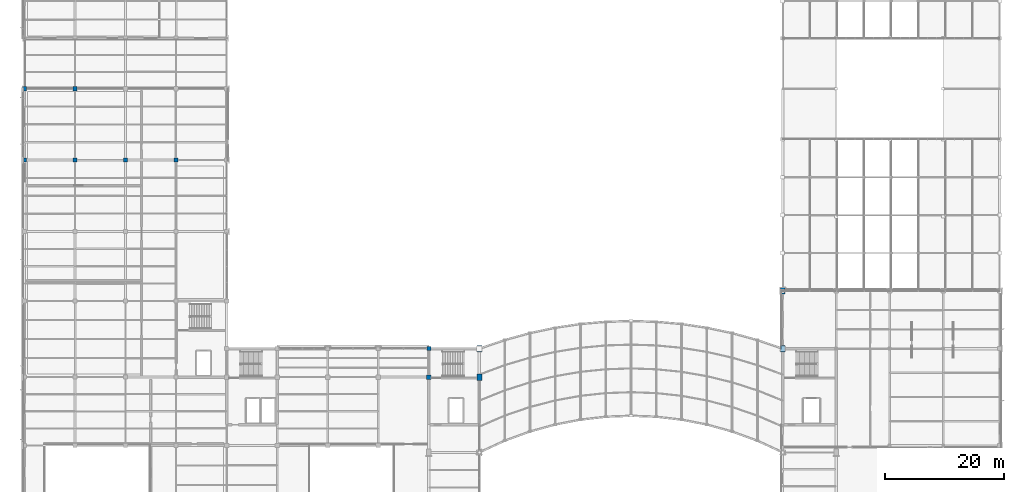
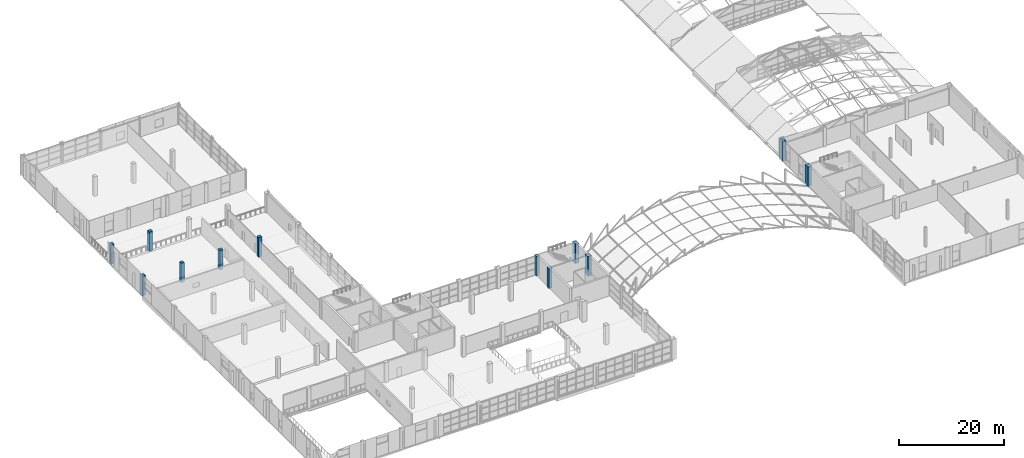
# One storey, part 3 of 101: 12 columns.
"""IFC4 building model written with IfcOpenShell, lengths in metres."""

from ifc_helpers import new_model, si_unit, direction, frame, origin, origin_2d, place, context, subcontext, project, spatial, rectangle, extrude, material, material_profile, profile_set, type_object, element, save


model = new_model("IFC4")

# Units and contexts
model_context = context("Model", 3, precision=1e-05, world=origin(), true_north=direction((0.0, 1.0)))
body_context = subcontext(model_context, "Body", "Model", "MODEL_VIEW")
ifc_project = project(units=[si_unit("LENGTHUNIT", "METRE"), si_unit("AREAUNIT", "SQUARE_METRE"), si_unit("VOLUMEUNIT", "CUBIC_METRE"), si_unit("PLANEANGLEUNIT", "RADIAN"), si_unit("MASSUNIT", "GRAM", prefix="KILO")], contexts=[model_context])

# Site, building, storey
site_placement = place(None, origin())
site = spatial("IfcSite", under=ifc_project, at=site_placement, CompositionType="ELEMENT")
building_placement = place(site_placement, origin())
building = spatial("IfcBuilding", under=site, at=building_placement, Name="Solvikara Media Centre", CompositionType="ELEMENT")
storey_placement = place(building_placement, frame((0.0, 0.0, 10.199951171875)))
storey = spatial("IfcBuildingStorey", under=building, at=storey_placement, Name="L02", CompositionType="ELEMENT", Elevation=10.199951171875)

# Columns
ifc_material = material(Name="Concrete fc' 45 MPa (C45/55)", Category="concrete")
ifc_material_profile_1 = material_profile(ifc_material, rectangle(XDim=0.699951171875, YDim=0.699951171875, at=origin_2d()), Name="RC 700x700")
ifc_profile_set_1 = profile_set([ifc_material_profile_1], Name="Concrete fc' 45 MPa (C45/55)")
column_type_1 = type_object("IfcColumnType", Name="CL-03", PredefinedType="COLUMN", material=ifc_profile_set_1)
column_1_placement = place(storey_placement, frame((8.5, 68.5, 0.0), z_axis=(0.0, 0.0, 1.0), x_axis=(1.0, 0.0, 0.0)))
element("IfcColumn", 1, at=column_1_placement, inside=storey, type_object=column_type_1, Name="C-L02-0085-0685", PredefinedType="COLUMN", context=body_context, shape_type="SweptSolid", body=[
    extrude(rectangle(XDim=0.699951171875, YDim=0.699951171875, at=origin_2d()), origin(), (0.0, 0.0, 1.0), 4.5400390625),
])
column_2_placement = place(storey_placement, frame((8.5, 80.5, 0.0), z_axis=(0.0, 0.0, 1.0), x_axis=(1.0, 0.0, 0.0)))
element("IfcColumn", 2, at=column_2_placement, inside=storey, type_object=column_type_1, Name="C-L02-0085-0805", PredefinedType="COLUMN", context=body_context, shape_type="SweptSolid", body=[
    extrude(rectangle(XDim=0.699951171875, YDim=0.699951171875, at=origin_2d()), origin(), (0.0, 0.0, 1.0), 4.530029296875),
])
for number, where, z_axis, x_axis, name in (
    (3, (17.0, 68.5, 0.0), (0.0, 0.0, 1.0), (1.0, 0.0, 0.0), "C-L02-0170-0685"),
    (4, (25.5, 68.5, 0.0), (0.0, 0.0, 1.0), (1.0, 0.0, 0.0), "C-L02-0255-0685"),
):
    element("IfcColumn", number, at=place(storey_placement, frame(where, z_axis=z_axis, x_axis=x_axis)), inside=storey, type_object=column_type_1, Name=name, PredefinedType="COLUMN", context=body_context, shape_type="SweptSolid", body=[
        extrude(rectangle(XDim=0.699951171875, YDim=0.699951171875, at=origin_2d()), origin(), (0.0, 0.0, 1.0), 4.5400390625),
    ])
ifc_material_profile_2 = material_profile(ifc_material, rectangle(XDim=0.75, YDim=0.75, at=origin_2d()), Name="RC 750x750")
ifc_profile_set_2 = profile_set([ifc_material_profile_2], Name="Concrete fc' 45 MPa (C45/55)")
column_type_2 = type_object("IfcColumnType", Name="CL-04", PredefinedType="COLUMN", material=ifc_profile_set_2)
column_3_placement = place(storey_placement, frame((68.0, 32.0, 0.0), z_axis=(0.0, 0.0, 1.0), x_axis=(1.0, 0.0, 0.0)))
element("IfcColumn", 5, at=column_3_placement, inside=storey, type_object=column_type_2, Name="C-L02-0680-0320", PredefinedType="COLUMN", context=body_context, shape_type="SweptSolid", body=[
    extrude(rectangle(XDim=0.75, YDim=0.75, at=origin_2d()), origin(), (0.0, 0.0, 1.0), 4.52001953125),
])
ifc_material_profile_3 = material_profile(ifc_material, rectangle(XDim=0.699951171875, YDim=0.699951171875, at=origin_2d()), Name="RC 700x700")
ifc_profile_set_3 = profile_set([ifc_material_profile_3], Name="Concrete fc' 45 MPa (C45/55)")
column_type_3 = type_object("IfcColumnType", Name="CL-15", PredefinedType="COLUMN", material=ifc_profile_set_3)
column_4_placement = place(storey_placement, frame((0.0, 68.5, 0.0), z_axis=(0.0, 0.0, 1.0), x_axis=(1.0, 0.0, 0.0)))
element("IfcColumn", 6, at=column_4_placement, inside=storey, type_object=column_type_3, Name="C-L02-0000-0685", PredefinedType="COLUMN", context=body_context, shape_type="SweptSolid", body=[
    extrude(rectangle(XDim=0.699951171875, YDim=0.699951171875, at=origin_2d()), origin(), (0.0, 0.0, 1.0), 4.5400390625),
])
column_5_placement = place(storey_placement, frame((0.0, 80.5, 0.0), z_axis=(0.0, 0.0, 1.0), x_axis=(1.0, 0.0, 0.0)))
element("IfcColumn", 7, at=column_5_placement, inside=storey, type_object=column_type_3, Name="C-L02-0000-0805", PredefinedType="COLUMN", context=body_context, shape_type="SweptSolid", body=[
    extrude(rectangle(XDim=0.699951171875, YDim=0.699951171875, at=origin_2d()), origin(), (0.0, 0.0, 1.0), 4.530029296875),
])
column_6_placement = place(storey_placement, frame((68.0, 36.800048828125, 0.0), z_axis=(0.0, 0.0, 1.0), x_axis=(1.0, 0.0, 0.0)))
element("IfcColumn", 8, at=column_6_placement, inside=storey, type_object=column_type_3, Name="C-L02-0680-0368", PredefinedType="COLUMN", context=body_context, shape_type="SweptSolid", body=[
    extrude(rectangle(XDim=0.699951171875, YDim=0.699951171875, at=origin_2d()), origin(), (0.0, 0.0, 1.0), 4.52001953125),
])
ifc_material_profile_4 = material_profile(ifc_material, rectangle(XDim=0.800048828125, YDim=1.10009765625, at=origin_2d()), Name="RC 800x1100")
ifc_profile_set_4 = profile_set([ifc_material_profile_4], Name="Concrete fc' 45 MPa (C45/55)")
column_type_4 = type_object("IfcColumnType", Name="CL-17", PredefinedType="COLUMN", material=ifc_profile_set_4)
for number, where, z_axis, x_axis, name in (
    (9, (76.5, 32.0, 0.0), (0.0, 0.0, 1.0), (1.0, 0.0, 0.0), "C-L02-0765-0320"),
    (10, (76.5, 36.800048828125, 0.0), (0.0, 0.0, 1.0), (1.0, 0.0, 0.0), "C-L02-0765-0368"),
    (11, (127.5, 36.800048828125, 0.0), (0.0, 0.0, 1.0), (1.0, 0.0, 0.0), "C-L02-1275-0368"),
    (12, (127.5, 46.5, 0.0), (0.0, 0.0, 1.0), (1.0, 0.0, 0.0), "C-L02-1275-0465"),
):
    element("IfcColumn", number, at=place(storey_placement, frame(where, z_axis=z_axis, x_axis=x_axis)), inside=storey, type_object=column_type_4, Name=name, PredefinedType="COLUMN", context=body_context, shape_type="SweptSolid", body=[
        extrude(rectangle(XDim=0.800048828125, YDim=1.10009765625, at=origin_2d()), origin(), (0.0, 0.0, 1.0), 4.5400390625),
    ])

save(model, "model.ifc")
